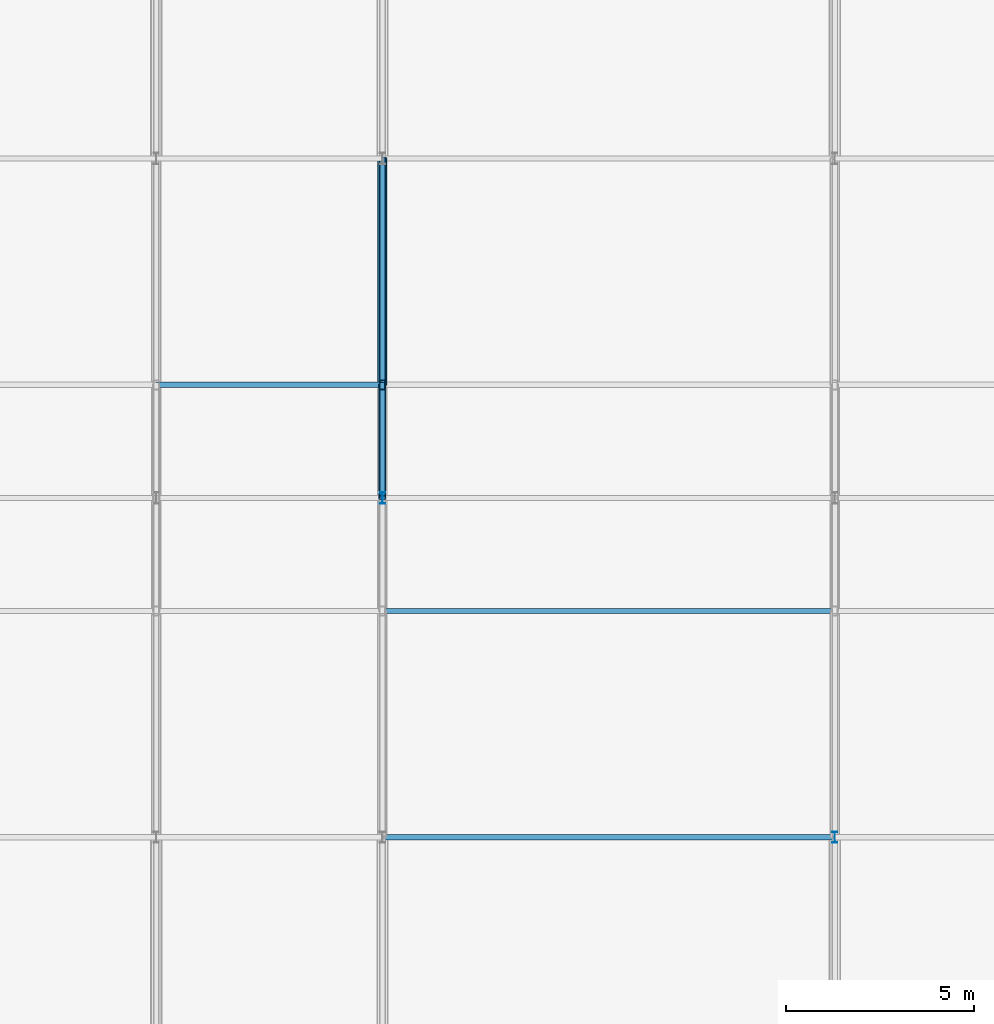
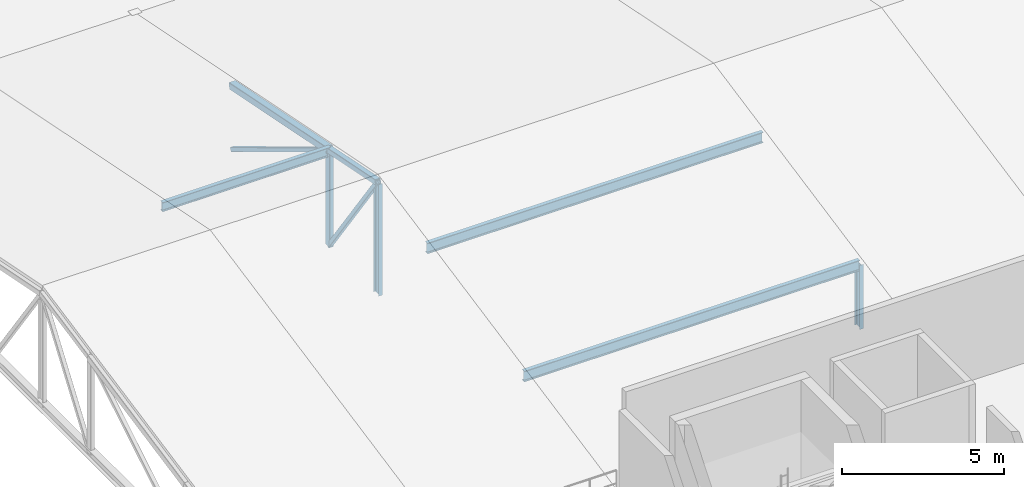
# One storey, part 27 of 83: 8 members, 2 beams.
"""IFC4 building model written with IfcOpenShell, lengths in metres."""

from ifc_helpers import new_model, si_unit, direction, frame, origin, origin_2d, place, context, subcontext, project, spatial, hollow_rectangle, i_section, extrude, material, material_profile, profile_set, type_object, element, save


model = new_model("IFC4")

# Units and contexts
model_context = context("Model", 3, precision=1e-05, world=origin(), true_north=direction((0.0, 1.0)))
body_context = subcontext(model_context, "Body", "Model", "MODEL_VIEW")
ifc_project = project(units=[si_unit("LENGTHUNIT", "METRE"), si_unit("AREAUNIT", "SQUARE_METRE"), si_unit("VOLUMEUNIT", "CUBIC_METRE"), si_unit("PLANEANGLEUNIT", "RADIAN"), si_unit("MASSUNIT", "GRAM", prefix="KILO")], contexts=[model_context])

# Site, building, storey
site_placement = place(None, origin())
site = spatial("IfcSite", under=ifc_project, at=site_placement, CompositionType="ELEMENT")
building_placement = place(site_placement, origin())
building = spatial("IfcBuilding", under=site, at=building_placement, Name="Varnakota Square Police Headquarters", CompositionType="ELEMENT")
storey_placement = place(building_placement, frame((0.0, 0.0, 18.0)))
storey = spatial("IfcBuildingStorey", under=building, at=storey_placement, Name="L04", CompositionType="ELEMENT", Elevation=18.0)

# Beams
ifc_material = material(Name="Steel IS 2062 Grade 350", Category="steel")
ifc_material_profile_1 = material_profile(ifc_material, hollow_rectangle(XDim=0.199951171875, YDim=0.199951171875, WallThickness=0.010009765625, InnerFilletRadius=0.010009765625, OuterFilletRadius=0.02001953125, at=origin_2d()), Name="SHS 200x200x10")
ifc_profile_set_1 = profile_set([ifc_material_profile_1], Name="Steel IS 2062 Grade 350")
beam_type_1 = type_object("IfcBeamType", Name="BM-TR-SHS200", PredefinedType="BEAM", material=ifc_profile_set_1)
beam_1_placement = place(storey_placement, frame((18.0, 90.0, 2.719970703125), z_axis=(0.0, 0.980589882373, -0.196070096109), x_axis=(-1.0, 0.0, 0.0)))
element("IfcBeam", 1, at=beam_1_placement, inside=storey, type_object=beam_type_1, Name="ROOF TRUSS top chord T3-P4", PredefinedType="BEAM", context=body_context, shape_type="SweptSolid", body=[
    extrude(hollow_rectangle(XDim=0.199951171875, YDim=0.199951171875, WallThickness=0.010009765625, InnerFilletRadius=0.010009765625, OuterFilletRadius=0.02001953125, at=origin_2d()), origin(), (0.0, 0.0, 1.0), 3.059326171875),
])
ifc_material_profile_2 = material_profile(ifc_material, hollow_rectangle(XDim=0.25, YDim=0.25, WallThickness=0.011962890625, InnerFilletRadius=0.011962890625, OuterFilletRadius=0.02392578125, at=origin_2d()), Name="SHS 250x250x12")
ifc_profile_set_2 = profile_set([ifc_material_profile_2], Name="Steel IS 2062 Grade 350")
beam_type_2 = type_object("IfcBeamType", Name="BM-TR-SHS250", PredefinedType="BEAM", material=ifc_profile_set_2)
beam_2_placement = place(storey_placement, frame((18.0, 93.0, 2.1201171875), z_axis=(0.0, 0.980574536798, -0.196146827104), x_axis=(-1.0, 0.0, 0.0)))
element("IfcBeam", 2, at=beam_2_placement, inside=storey, type_object=beam_type_2, Name="ROOF TRUSS top chord T3-P5", PredefinedType="BEAM", context=body_context, shape_type="SweptSolid", body=[
    extrude(hollow_rectangle(XDim=0.25, YDim=0.25, WallThickness=0.011962890625, InnerFilletRadius=0.011962890625, OuterFilletRadius=0.02392578125, at=origin_2d()), origin(), (0.0, 0.0, 1.0), 6.118896484375),
])

# Members
ifc_material_profile_3 = material_profile(ifc_material, hollow_rectangle(XDim=0.14990234375, YDim=0.14990234375, WallThickness=0.008056640625, InnerFilletRadius=0.008056640625, OuterFilletRadius=0.01611328125, at=origin_2d()), Name="SHS 150x150x8")
ifc_profile_set_3 = profile_set([ifc_material_profile_3], Name="Steel IS 2062 Grade 350")
member_type_1 = type_object("IfcMemberType", Name="MEM-BR-SHS150", PredefinedType="BRACE", material=ifc_profile_set_3)
member_1_placement = place(storey_placement, frame((18.0, 90.0, 2.719970703125), z_axis=(0.0, 0.579412433141, -0.815034497627), x_axis=(-1.0, 0.0, 0.0)))
element("IfcMember", 3, at=member_1_placement, inside=storey, type_object=member_type_1, Name="ROOF TRUSS diagonal web T3-P4", PredefinedType="BRACE", context=body_context, shape_type="SweptSolid", body=[
    extrude(hollow_rectangle(XDim=0.14990234375, YDim=0.14990234375, WallThickness=0.008056640625, InnerFilletRadius=0.008056640625, OuterFilletRadius=0.01611328125, at=origin_2d()), origin(), (0.0, 0.0, 1.0), 5.177734375),
])
member_2_placement = place(storey_placement, frame((18.0, 93.0, 2.1201171875), z_axis=(0.0, 0.856223797044, -0.516605080671), x_axis=(-1.0, 0.0, 0.0)))
element("IfcMember", 4, at=member_2_placement, inside=storey, type_object=member_type_1, Name="ROOF TRUSS diagonal web T3-P5", PredefinedType="BRACE", context=body_context, shape_type="SweptSolid", body=[
    extrude(hollow_rectangle(XDim=0.14990234375, YDim=0.14990234375, WallThickness=0.008056640625, InnerFilletRadius=0.008056640625, OuterFilletRadius=0.01611328125, at=origin_2d()), origin(), (0.0, 0.0, 1.0), 7.007568359375),
])
ifc_material_profile_4 = material_profile(ifc_material, i_section(OverallWidth=0.139892578125, OverallDepth=0.35009765625, WebThickness=0.008056640625, FlangeThickness=0.01416015625, FilletRadius=0.013916015625, at=origin_2d()), Name="ISMB 350")
ifc_profile_set_4 = profile_set([ifc_material_profile_4], Name="Steel IS 2062 Grade 350")
member_type_2 = type_object("IfcMemberType", Name="MEM-PUR-ISMB350", PredefinedType="PURLIN", material=ifc_profile_set_4)
member_3_placement = place(storey_placement, frame((12.0, 93.0, 2.074951171875), z_axis=(1.0, 0.0, 0.0), x_axis=(0.0, 1.0, 0.0)))
element("IfcMember", 5, at=member_3_placement, inside=storey, type_object=member_type_2, Name="Tactical hall purlin B2-Y93", PredefinedType="PURLIN", context=body_context, shape_type="SweptSolid", body=[
    extrude(i_section(OverallWidth=0.139892578125, OverallDepth=0.35009765625, WebThickness=0.008056640625, FlangeThickness=0.01416015625, FilletRadius=0.013916015625, at=origin_2d()), origin(), (0.0, 0.0, 1.0), 6.0),
])
ifc_material_profile_5 = material_profile(ifc_material, i_section(OverallWidth=0.139892578125, OverallDepth=0.39990234375, WebThickness=0.0087890625, FlangeThickness=0.01611328125, FilletRadius=0.013916015625, at=origin_2d()), Name="ISMB 400")
ifc_profile_set_5 = profile_set([ifc_material_profile_5], Name="Steel IS 2062 Grade 350")
member_type_3 = type_object("IfcMemberType", Name="MEM-PUR-ISMB400", PredefinedType="PURLIN", material=ifc_profile_set_5)
for number, where, z_axis, x_axis, name in (
    (6, (18.0, 81.0, 0.85009765625), (1.0, 0.0, 0.0), (0.0, 1.0, 0.0), "Tactical hall purlin B3-Y81"),
    (7, (18.0, 87.0, 2.050048828125), (1.0, 0.0, 0.0), (0.0, 1.0, 0.0), "Tactical hall purlin B3-Y87"),
):
    element("IfcMember", number, at=place(storey_placement, frame(where, z_axis=z_axis, x_axis=x_axis)), inside=storey, type_object=member_type_3, Name=name, PredefinedType="PURLIN", context=body_context, shape_type="SweptSolid", body=[
        extrude(i_section(OverallWidth=0.139892578125, OverallDepth=0.39990234375, WebThickness=0.0087890625, FlangeThickness=0.01611328125, FilletRadius=0.013916015625, at=origin_2d()), origin(), (0.0, 0.0, 1.0), 12.0),
    ])
ifc_material_profile_6 = material_profile(ifc_material, i_section(OverallWidth=0.139892578125, OverallDepth=0.300048828125, WebThickness=0.0078125, FlangeThickness=0.01318359375, FilletRadius=0.013916015625, at=origin_2d()), Name="ISMB 300")
ifc_profile_set_6 = profile_set([ifc_material_profile_6], Name="Steel IS 2062 Grade 350")
member_type_4 = type_object("IfcMemberType", Name="MEM-STR-ISMB300", PredefinedType="STRUT", material=ifc_profile_set_6)
member_4_placement = place(storey_placement, frame((18.0, 90.0, -1.5), z_axis=(0.0, 0.0, 1.0), x_axis=(1.0, 0.0, 0.0)))
element("IfcMember", 8, at=member_4_placement, inside=storey, type_object=member_type_4, Name="ROOF TRUSS vertical strut T3-V3", PredefinedType="STRUT", context=body_context, shape_type="SweptSolid", body=[
    extrude(i_section(OverallWidth=0.139892578125, OverallDepth=0.300048828125, WebThickness=0.0078125, FlangeThickness=0.01318359375, FilletRadius=0.013916015625, at=origin_2d()), origin(), (0.0, 0.0, 1.0), 4.219970703125),
])
member_5_placement = place(storey_placement, frame((30.0, 81.0, -1.5), z_axis=(0.0, 0.0, 1.0), x_axis=(1.0, 0.0, 0.0)))
element("IfcMember", 9, at=member_5_placement, inside=storey, type_object=member_type_4, Name="ROOF TRUSS vertical strut T4-V1", PredefinedType="STRUT", context=body_context, shape_type="SweptSolid", body=[
    extrude(i_section(OverallWidth=0.139892578125, OverallDepth=0.300048828125, WebThickness=0.0078125, FlangeThickness=0.01318359375, FilletRadius=0.013916015625, at=origin_2d()), origin(), (0.0, 0.0, 1.0), 2.419921875),
])
ifc_material_profile_7 = material_profile(ifc_material, hollow_rectangle(XDim=0.14990234375, YDim=0.25, WallThickness=0.010009765625, InnerFilletRadius=0.010009765625, OuterFilletRadius=0.02001953125, at=origin_2d()), Name="RHS 250x150x10")
ifc_profile_set_7 = profile_set([ifc_material_profile_7], Name="Steel IS 2062 Grade 350")
member_type_5 = type_object("IfcMemberType", Name="MEM-STR-RHS250", PredefinedType="STRUT", material=ifc_profile_set_7)
member_6_placement = place(storey_placement, frame((18.0, 93.0, -1.5), z_axis=(0.0, 0.0, 1.0), x_axis=(1.0, 0.0, 0.0)))
element("IfcMember", 10, at=member_6_placement, inside=storey, type_object=member_type_5, Name="ROOF TRUSS vertical strut T3-V4", PredefinedType="STRUT", context=body_context, shape_type="SweptSolid", body=[
    extrude(hollow_rectangle(XDim=0.14990234375, YDim=0.25, WallThickness=0.010009765625, InnerFilletRadius=0.010009765625, OuterFilletRadius=0.02001953125, at=origin_2d()), origin(), (0.0, 0.0, 1.0), 3.6201171875),
])

save(model, "model.ifc")
